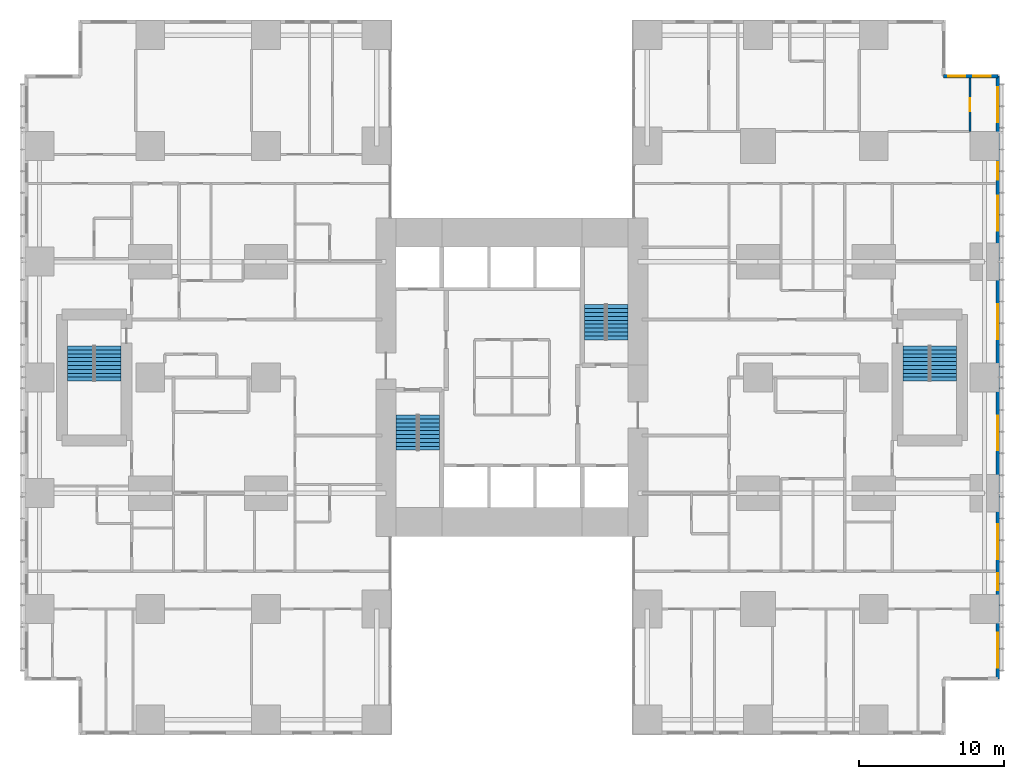
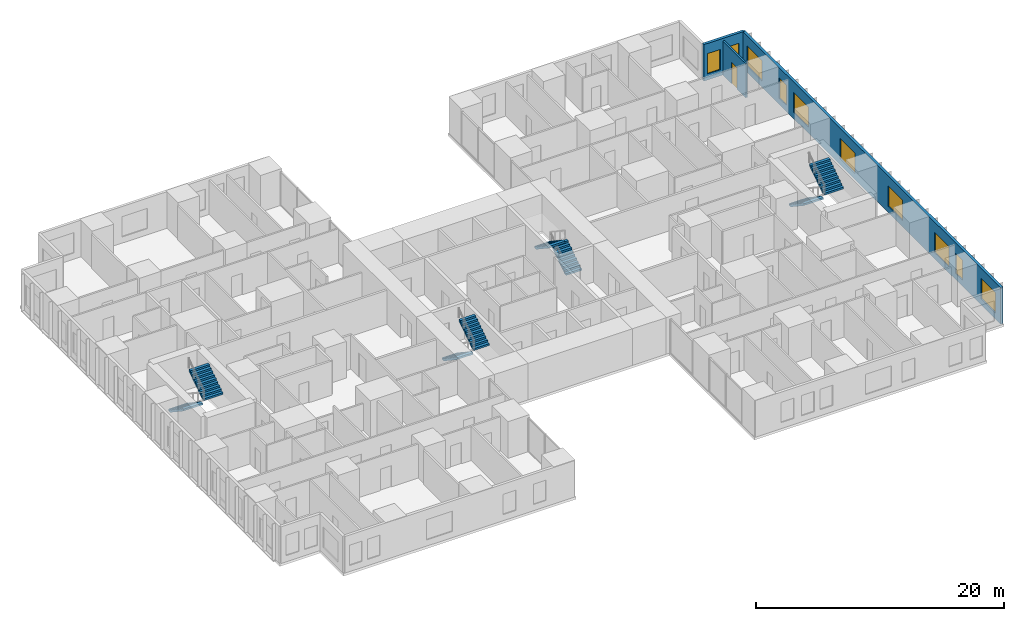
# One storey, part 19 of 20: 10 windows, 8 stair flights, 3 walls, 1 door, 11 openings, 4 elements without a shape of their own.
"""IFC4 building model written with IfcOpenShell, lengths in metres."""

from ifc_helpers import new_model, si_unit, direction, frame, frame_2d, origin, place, context, subcontext, project, spatial, polyline, rectangle, outline, extrude, material, layer, layer_set, type_object, element, fill, aggregate, save


model = new_model("IFC4")

# Units and contexts
model_context = context("Model", 3, precision=1e-05, world=origin(), true_north=direction((0.0, 1.0)))
body_context = subcontext(model_context, "Body", "Model", "MODEL_VIEW")
ifc_project = project(units=[si_unit("LENGTHUNIT", "METRE"), si_unit("AREAUNIT", "SQUARE_METRE"), si_unit("VOLUMEUNIT", "CUBIC_METRE"), si_unit("PLANEANGLEUNIT", "RADIAN"), si_unit("MASSUNIT", "GRAM", prefix="KILO")], contexts=[model_context])

# Site, building, storey
site_placement = place(None, origin())
site = spatial("IfcSite", under=ifc_project, at=site_placement, CompositionType="ELEMENT")
building_placement = place(site_placement, origin())
building = spatial("IfcBuilding", under=site, at=building_placement, Name="Cleftline Residences", CompositionType="ELEMENT")
storey_placement = place(building_placement, frame((0.0, 0.0, 80.0)))
storey = spatial("IfcBuildingStorey", under=building, at=storey_placement, Name="L20", CompositionType="ELEMENT", Elevation=80.0)

# Wall, openings, windows
ifc_material_1 = material(Name="Rendered reinforced concrete blockwork", Category="masonry")
ifc_layer_1 = layer(ifc_material_1, 0.25)
ifc_layer_set_1 = layer_set([ifc_layer_1], Name="EXTERNAL WALL 250")
wall_type_1 = type_object("IfcWallType", Name="EXTERNAL WALL 250", PredefinedType="SOLIDWALL", material=ifc_layer_set_1)
wall_1_placement = place(storey_placement, frame((66.574951171875, 3.175048828125, 0.0), z_axis=(0.0, 0.0, 1.0), x_axis=(0.0, 1.0, 0.0)))
wall_1 = element("IfcWall", 1, at=wall_1_placement, inside=storey, type_object=wall_type_1, Name="External wall", PredefinedType="SOLIDWALL", context=body_context, shape_type="SweptSolid", body=[
    extrude(rectangle(XDim=41.64990234375, YDim=0.25, at=frame_2d((20.824951171875, 0.0))), origin(), (0.0, 0.0, 1.0), 3.60009765625),
])
opening_1_placement = place(wall_1_placement, frame((0.77490234375, 0.0, 0.60009765625)))
opening_1 = element("IfcOpeningElement", 2, at=opening_1_placement, cuts=wall_1, Name="Opening W6", PredefinedType="OPENING", context=body_context, shape_type="SweptSolid", body=[
    extrude(rectangle(XDim=2.39990234375, YDim=2.0, at=frame_2d((1.199951171875, 1.0))), frame((0.0, 0.135009765625, 0.0), z_axis=(0.0, -1.0, 0.0), x_axis=(1.0, 0.0, 0.0)), (0.0, 0.0, 1.0), 0.27001953125),
])
opening_2_placement = place(wall_1_placement, frame((6.10009765625, 0.0, 0.60009765625)))
opening_2 = element("IfcOpeningElement", 3, at=opening_2_placement, cuts=wall_1, Name="Opening W8", PredefinedType="OPENING", context=body_context, shape_type="SweptSolid", body=[
    extrude(rectangle(XDim=1.199951171875, YDim=2.0, at=frame_2d((0.60009765625, 1.0))), frame((0.0, 0.135009765625, 0.0), z_axis=(0.0, -1.0, 0.0), x_axis=(1.0, 0.0, 0.0)), (0.0, 0.0, 1.0), 0.27001953125),
])
opening_3_placement = place(wall_1_placement, frame((8.27490234375, 0.0, 0.60009765625)))
opening_3 = element("IfcOpeningElement", 4, at=opening_3_placement, cuts=wall_1, Name="Opening W6", PredefinedType="OPENING", context=body_context, shape_type="SweptSolid", body=[
    extrude(rectangle(XDim=2.39990234375, YDim=2.0, at=frame_2d((1.199951171875, 1.0))), frame((0.0, 0.135009765625, 0.0), z_axis=(0.0, -1.0, 0.0), x_axis=(1.0, 0.0, 0.0)), (0.0, 0.0, 1.0), 0.27001953125),
])
opening_4_placement = place(wall_1_placement, frame((15.77490234375, 0.0, 0.60009765625)))
opening_4 = element("IfcOpeningElement", 5, at=opening_4_placement, cuts=wall_1, Name="Opening W6", PredefinedType="OPENING", context=body_context, shape_type="SweptSolid", body=[
    extrude(rectangle(XDim=2.39990234375, YDim=2.0, at=frame_2d((1.199951171875, 1.0))), frame((0.0, 0.135009765625, 0.0), z_axis=(0.0, -1.0, 0.0), x_axis=(1.0, 0.0, 0.0)), (0.0, 0.0, 1.0), 0.27001953125),
])
opening_5_placement = place(wall_1_placement, frame((23.47509765625, 0.0, 0.60009765625)))
opening_5 = element("IfcOpeningElement", 6, at=opening_5_placement, cuts=wall_1, Name="Opening W6", PredefinedType="OPENING", context=body_context, shape_type="SweptSolid", body=[
    extrude(rectangle(XDim=2.39990234375, YDim=2.0, at=frame_2d((1.199951171875, 1.0))), frame((0.0, 0.135009765625, 0.0), z_axis=(0.0, -1.0, 0.0), x_axis=(1.0, 0.0, 0.0)), (0.0, 0.0, 1.0), 0.27001953125),
])
opening_6_placement = place(wall_1_placement, frame((30.97509765625, 0.0, 0.60009765625)))
opening_6 = element("IfcOpeningElement", 7, at=opening_6_placement, cuts=wall_1, Name="Opening W6", PredefinedType="OPENING", context=body_context, shape_type="SweptSolid", body=[
    extrude(rectangle(XDim=2.39990234375, YDim=2.0, at=frame_2d((1.199951171875, 1.0))), frame((0.0, 0.135009765625, 0.0), z_axis=(0.0, -1.0, 0.0), x_axis=(1.0, 0.0, 0.0)), (0.0, 0.0, 1.0), 0.27001953125),
])
opening_7_placement = place(wall_1_placement, frame((34.5, 0.0, 0.60009765625)))
opening_7 = element("IfcOpeningElement", 8, at=opening_7_placement, cuts=wall_1, Name="Opening W8", PredefinedType="OPENING", context=body_context, shape_type="SweptSolid", body=[
    extrude(rectangle(XDim=1.199951171875, YDim=2.0, at=frame_2d((0.60009765625, 1.0))), frame((0.0, 0.135009765625, 0.0), z_axis=(0.0, -1.0, 0.0), x_axis=(1.0, 0.0, 0.0)), (0.0, 0.0, 1.0), 0.27001953125),
])
opening_8_placement = place(wall_1_placement, frame((38.47509765625, 0.0, 0.60009765625)))
opening_8 = element("IfcOpeningElement", 9, at=opening_8_placement, cuts=wall_1, Name="Opening W6", PredefinedType="OPENING", context=body_context, shape_type="SweptSolid", body=[
    extrude(rectangle(XDim=2.39990234375, YDim=2.0, at=frame_2d((1.199951171875, 1.0))), frame((0.0, 0.135009765625, 0.0), z_axis=(0.0, -1.0, 0.0), x_axis=(1.0, 0.0, 0.0)), (0.0, 0.0, 1.0), 0.27001953125),
])
ifc_material_2 = material(Name="Aluminium frame, clear double glazing", Category="aluminium")
window_type_1 = type_object("IfcWindowType", Name="WINDOW 1200X2000", PartitioningType="DOUBLE_PANEL_VERTICAL", PredefinedType="WINDOW", material=ifc_material_2)
window_1_placement = place(opening_2_placement, origin())
window_1 = element("IfcWindow", 10, at=window_1_placement, inside=storey, type_object=window_type_1, Name="Window", OverallHeight=2.0, OverallWidth=1.199951171875, PartitioningType="SINGLE_PANEL", PredefinedType="WINDOW", context=body_context, shape_type="SweptSolid", body=[
    extrude(rectangle(XDim=1.199951171875, YDim=2.0, at=frame_2d((0.60009765625, 1.0))), frame((0.0, 0.030029296875, 0.0), z_axis=(0.0, -1.0, 0.0), x_axis=(1.0, 0.0, 0.0)), (0.0, 0.0, 1.0), 0.06005859375),
])
fill(opening_2, window_1)
window_2_placement = place(opening_7_placement, origin())
window_2 = element("IfcWindow", 11, at=window_2_placement, inside=storey, type_object=window_type_1, Name="Window", OverallHeight=2.0, OverallWidth=1.199951171875, PartitioningType="SINGLE_PANEL", PredefinedType="WINDOW", context=body_context, shape_type="SweptSolid", body=[
    extrude(rectangle(XDim=1.199951171875, YDim=2.0, at=frame_2d((0.60009765625, 1.0))), frame((0.0, 0.030029296875, 0.0), z_axis=(0.0, -1.0, 0.0), x_axis=(1.0, 0.0, 0.0)), (0.0, 0.0, 1.0), 0.06005859375),
])
fill(opening_7, window_2)
ifc_material_3 = material(Name="Aluminium frame, clear double glazing", Category="aluminium")
window_type_2 = type_object("IfcWindowType", Name="WINDOW 2400X2000", PartitioningType="DOUBLE_PANEL_VERTICAL", PredefinedType="WINDOW", material=ifc_material_3)
window_3_placement = place(opening_1_placement, origin())
window_3 = element("IfcWindow", 12, at=window_3_placement, inside=storey, type_object=window_type_2, Name="Window", OverallHeight=2.0, OverallWidth=2.39990234375, PartitioningType="SINGLE_PANEL", PredefinedType="WINDOW", context=body_context, shape_type="SweptSolid", body=[
    extrude(rectangle(XDim=2.39990234375, YDim=2.0, at=frame_2d((1.199951171875, 1.0))), frame((0.0, 0.030029296875, 0.0), z_axis=(0.0, -1.0, 0.0), x_axis=(1.0, 0.0, 0.0)), (0.0, 0.0, 1.0), 0.06005859375),
])
fill(opening_1, window_3)
window_4_placement = place(opening_3_placement, origin())
window_4 = element("IfcWindow", 13, at=window_4_placement, inside=storey, type_object=window_type_2, Name="Window", OverallHeight=2.0, OverallWidth=2.39990234375, PartitioningType="SINGLE_PANEL", PredefinedType="WINDOW", context=body_context, shape_type="SweptSolid", body=[
    extrude(rectangle(XDim=2.39990234375, YDim=2.0, at=frame_2d((1.199951171875, 1.0))), frame((0.0, 0.030029296875, 0.0), z_axis=(0.0, -1.0, 0.0), x_axis=(1.0, 0.0, 0.0)), (0.0, 0.0, 1.0), 0.06005859375),
])
fill(opening_3, window_4)
window_5_placement = place(opening_4_placement, origin())
window_5 = element("IfcWindow", 14, at=window_5_placement, inside=storey, type_object=window_type_2, Name="Window", OverallHeight=2.0, OverallWidth=2.39990234375, PartitioningType="SINGLE_PANEL", PredefinedType="WINDOW", context=body_context, shape_type="SweptSolid", body=[
    extrude(rectangle(XDim=2.39990234375, YDim=2.0, at=frame_2d((1.199951171875, 1.0))), frame((0.0, 0.030029296875, 0.0), z_axis=(0.0, -1.0, 0.0), x_axis=(1.0, 0.0, 0.0)), (0.0, 0.0, 1.0), 0.06005859375),
])
fill(opening_4, window_5)
window_6_placement = place(opening_5_placement, origin())
window_6 = element("IfcWindow", 15, at=window_6_placement, inside=storey, type_object=window_type_2, Name="Window", OverallHeight=2.0, OverallWidth=2.39990234375, PartitioningType="SINGLE_PANEL", PredefinedType="WINDOW", context=body_context, shape_type="SweptSolid", body=[
    extrude(rectangle(XDim=2.39990234375, YDim=2.0, at=frame_2d((1.199951171875, 1.0))), frame((0.0, 0.030029296875, 0.0), z_axis=(0.0, -1.0, 0.0), x_axis=(1.0, 0.0, 0.0)), (0.0, 0.0, 1.0), 0.06005859375),
])
fill(opening_5, window_6)
window_7_placement = place(opening_6_placement, origin())
window_7 = element("IfcWindow", 16, at=window_7_placement, inside=storey, type_object=window_type_2, Name="Window", OverallHeight=2.0, OverallWidth=2.39990234375, PartitioningType="SINGLE_PANEL", PredefinedType="WINDOW", context=body_context, shape_type="SweptSolid", body=[
    extrude(rectangle(XDim=2.39990234375, YDim=2.0, at=frame_2d((1.199951171875, 1.0))), frame((0.0, 0.030029296875, 0.0), z_axis=(0.0, -1.0, 0.0), x_axis=(1.0, 0.0, 0.0)), (0.0, 0.0, 1.0), 0.06005859375),
])
fill(opening_6, window_7)
window_8_placement = place(opening_8_placement, origin())
window_8 = element("IfcWindow", 17, at=window_8_placement, inside=storey, type_object=window_type_2, Name="Window", OverallHeight=2.0, OverallWidth=2.39990234375, PartitioningType="SINGLE_PANEL", PredefinedType="WINDOW", context=body_context, shape_type="SweptSolid", body=[
    extrude(rectangle(XDim=2.39990234375, YDim=2.0, at=frame_2d((1.199951171875, 1.0))), frame((0.0, 0.030029296875, 0.0), z_axis=(0.0, -1.0, 0.0), x_axis=(1.0, 0.0, 0.0)), (0.0, 0.0, 1.0), 0.06005859375),
])
fill(opening_8, window_8)

wall_2_placement = place(storey_placement, frame((66.574951171875, 44.824951171875, 0.0), z_axis=(0.0, 0.0, 1.0), x_axis=(-1.0, 0.0, 0.0)))
wall_2 = element("IfcWall", 18, at=wall_2_placement, inside=storey, type_object=wall_type_1, Name="External wall", PredefinedType="SOLIDWALL", context=body_context, shape_type="SweptSolid", body=[
    extrude(rectangle(XDim=3.75, YDim=0.25, at=frame_2d((1.875, 0.0))), origin(), (0.0, 0.0, 1.0), 3.60009765625),
])
opening_9_placement = place(wall_2_placement, frame((0.5, 0.0, 0.60009765625)))
opening_9 = element("IfcOpeningElement", 19, at=opening_9_placement, cuts=wall_2, Name="Opening W8", PredefinedType="OPENING", context=body_context, shape_type="SweptSolid", body=[
    extrude(rectangle(XDim=1.199951171875, YDim=2.0, at=frame_2d((0.60009765625, 1.0))), frame((0.0, 0.135009765625, 0.0), z_axis=(0.0, -1.0, 0.0), x_axis=(1.0, 0.0, 0.0)), (0.0, 0.0, 1.0), 0.27001953125),
])
opening_10_placement = place(wall_2_placement, frame((2.237548828125, 0.0, 0.60009765625)))
opening_10 = element("IfcOpeningElement", 20, at=opening_10_placement, cuts=wall_2, Name="Opening W8", PredefinedType="OPENING", context=body_context, shape_type="SweptSolid", body=[
    extrude(rectangle(XDim=1.199951171875, YDim=2.0, at=frame_2d((0.60009765625, 1.0))), frame((0.0, 0.135009765625, 0.0), z_axis=(0.0, -1.0, 0.0), x_axis=(1.0, 0.0, 0.0)), (0.0, 0.0, 1.0), 0.27001953125),
])
window_9_placement = place(opening_9_placement, origin())
window_9 = element("IfcWindow", 21, at=window_9_placement, inside=storey, type_object=window_type_1, Name="Window", OverallHeight=2.0, OverallWidth=1.199951171875, PartitioningType="SINGLE_PANEL", PredefinedType="WINDOW", context=body_context, shape_type="SweptSolid", body=[
    extrude(rectangle(XDim=1.199951171875, YDim=2.0, at=frame_2d((0.60009765625, 1.0))), frame((0.0, 0.030029296875, 0.0), z_axis=(0.0, -1.0, 0.0), x_axis=(1.0, 0.0, 0.0)), (0.0, 0.0, 1.0), 0.06005859375),
])
fill(opening_9, window_9)
window_10_placement = place(opening_10_placement, origin())
window_10 = element("IfcWindow", 22, at=window_10_placement, inside=storey, type_object=window_type_1, Name="Window", OverallHeight=2.0, OverallWidth=1.199951171875, PartitioningType="SINGLE_PANEL", PredefinedType="WINDOW", context=body_context, shape_type="SweptSolid", body=[
    extrude(rectangle(XDim=1.199951171875, YDim=2.0, at=frame_2d((0.60009765625, 1.0))), frame((0.0, 0.030029296875, 0.0), z_axis=(0.0, -1.0, 0.0), x_axis=(1.0, 0.0, 0.0)), (0.0, 0.0, 1.0), 0.06005859375),
])
fill(opening_10, window_10)

# Wall, opening, door
ifc_material_4 = material(Name="Gypsum board on steel studs", Category="steel")
ifc_layer_2 = layer(ifc_material_4, 0.14990234375)
ifc_layer_set_2 = layer_set([ifc_layer_2], Name="PARTITION 150")
wall_type_2 = type_object("IfcWallType", Name="PARTITION 150", PredefinedType="PARTITIONING", material=ifc_layer_set_2)
wall_3_placement = place(storey_placement, frame((64.64990234375, 41.0, 0.0), z_axis=(0.0, 0.0, 1.0), x_axis=(0.0, 1.0, 0.0)))
wall_3 = element("IfcWall", 23, at=wall_3_placement, inside=storey, type_object=wall_type_2, Name="Partition", PredefinedType="PARTITIONING", context=body_context, shape_type="SweptSolid", body=[
    extrude(rectangle(XDim=3.699951171875, YDim=0.14990234375, at=frame_2d((1.85009765625, 0.0))), origin(), (0.0, 0.0, 1.0), 3.35009765625),
])
opening_11_placement = place(wall_3_placement, frame((1.39990234375, 0.0, 0.0)))
opening_11 = element("IfcOpeningElement", 24, at=opening_11_placement, cuts=wall_3, Name="Opening D1", PredefinedType="OPENING", context=body_context, shape_type="SweptSolid", body=[
    extrude(rectangle(XDim=0.89990234375, YDim=2.10009765625, at=frame_2d((0.449951171875, 1.050048828125))), frame((0.0, 0.0849609375, 0.0), z_axis=(0.0, -1.0, 0.0), x_axis=(1.0, 0.0, 0.0)), (0.0, 0.0, 1.0), 0.169921875),
])
ifc_material_5 = material(Name="Timber veneer on solid core", Category="wood")
door_type = type_object("IfcDoorType", Name="DOOR 900X2100", OperationType="SINGLE_SWING_LEFT", PredefinedType="DOOR", material=ifc_material_5)
door_placement = place(opening_11_placement, origin())
door = element("IfcDoor", 25, at=door_placement, inside=storey, type_object=door_type, Name="Door to walk-in wardrobe", OperationType="SINGLE_SWING_LEFT", OverallHeight=2.10009765625, OverallWidth=0.89990234375, PredefinedType="DOOR", context=body_context, shape_type="SweptSolid", body=[
    extrude(rectangle(XDim=0.89990234375, YDim=2.10009765625, at=frame_2d((0.449951171875, 1.050048828125))), frame((0.0, 0.02490234375, 0.0), z_axis=(0.0, -1.0, 0.0), x_axis=(1.0, 0.0, 0.0)), (0.0, 0.0, 1.0), 0.050048828125),
])
fill(opening_11, door)

# Stair, stair flights
ifc_material_6 = material(Name="Concrete B45, stone treads", Category="masonry")
stair_type_1 = type_object("IfcStairType", Name="STAIR A 1450 WIDE 180 RISER", PredefinedType="HALF_TURN_STAIR", material=ifc_material_6)
stair_1_placement = place(storey_placement, origin())
stair_1 = element("IfcStair", 26, at=stair_1_placement, inside=storey, type_object=stair_type_1, Name="Stair A L20", PredefinedType="HALF_TURN_STAIR")
ifc_material_7 = material(Name="Concrete B45", Category="concrete")
stair_flight_type_1 = type_object("IfcStairFlightType", Name="STAIR A FLIGHT 1450X180", PredefinedType="STRAIGHT", material=ifc_material_7)
stair_flight_1_placement = place(storey_placement, frame((25.72509765625, 21.39990234375, 0.0), z_axis=(0.0, 0.0, 1.0), x_axis=(0.0, -1.0, 0.0)))
stair_flight_1 = element("IfcStairFlight", 27, at=stair_flight_1_placement, type_object=stair_flight_type_1, Name="ST-A flight 1", NumberOfRisers=10, NumberOfTreads=9, PredefinedType="STRAIGHT", RiserHeight=0.18, TreadLength=0.27, context=body_context, shape_type="SweptSolid", body=[
    extrude(outline(polyline([(0.0, 0.0), (0.0, 0.013916015625), (0.0, 0.027587890625), (0.0, 0.04150390625), (0.0, 0.055419921875), (0.0, 0.0693359375), (0.0, 0.0830078125), (0.0, 0.096923828125), (0.0, 0.11083984375), (0.0, 0.12451171875), (0.0, 0.138427734375), (0.0, 0.15234375), (0.0, 0.166259765625), (0.0, 0.179931640625), (0.27001953125, 0.179931640625), (0.27001953125, 0.360107421875), (0.5400390625, 0.360107421875), (0.5400390625, 0.5400390625), (0.81005859375, 0.5400390625), (0.81005859375, 0.719970703125), (1.080078125, 0.719970703125), (1.080078125, 0.89990234375), (1.35009765625, 0.89990234375), (1.35009765625, 1.080078125), (1.6201171875, 1.080078125), (1.6201171875, 1.260009765625), (1.889892578125, 1.260009765625), (1.889892578125, 1.43994140625), (2.159912109375, 1.43994140625), (2.159912109375, 1.6201171875), (2.429931640625, 1.6201171875), (2.429931640625, 1.800048828125), (2.429931640625, 1.772216796875), (2.429931640625, 1.74462890625), (2.429931640625, 1.716796875), (2.429931640625, 1.689208984375), (2.429931640625, 1.661376953125), (2.429931640625, 1.6337890625), (2.429931640625, 1.60595703125), (2.429931640625, 1.578369140625), (2.429931640625, 1.550537109375), (2.429931640625, 1.52294921875), (2.429931640625, 1.495361328125), (2.429931640625, 1.467529296875), (2.429931640625, 1.43994140625), (0.270263671875, 0.0), (0.0, 0.0)])), frame((0.0, 0.72509765625, 0.0), z_axis=(0.0, -1.0, 0.0), x_axis=(1.0, 0.0, 0.0)), (0.0, 0.0, 1.0), 1.449951171875),
])
stair_flight_2_placement = place(storey_placement, frame((27.27490234375, 18.969970703125, 1.800048828125), z_axis=(0.0, 0.0, 1.0), x_axis=(0.0, 1.0, 0.0)))
stair_flight_2 = element("IfcStairFlight", 28, at=stair_flight_2_placement, type_object=stair_flight_type_1, Name="ST-A flight 2", NumberOfRisers=10, NumberOfTreads=9, PredefinedType="STRAIGHT", RiserHeight=0.18, TreadLength=0.27, context=body_context, shape_type="SweptSolid", body=[
    extrude(outline(polyline([(0.0, 0.0), (0.0, 0.013916015625), (0.0, 0.027587890625), (0.0, 0.04150390625), (0.0, 0.055419921875), (0.0, 0.0693359375), (0.0, 0.0830078125), (0.0, 0.096923828125), (0.0, 0.11083984375), (0.0, 0.12451171875), (0.0, 0.138427734375), (0.0, 0.15234375), (0.0, 0.166259765625), (0.0, 0.179931640625), (0.27001953125, 0.179931640625), (0.27001953125, 0.360107421875), (0.5400390625, 0.360107421875), (0.5400390625, 0.5400390625), (0.81005859375, 0.5400390625), (0.81005859375, 0.719970703125), (1.080078125, 0.719970703125), (1.080078125, 0.89990234375), (1.35009765625, 0.89990234375), (1.35009765625, 1.080078125), (1.6201171875, 1.080078125), (1.6201171875, 1.260009765625), (1.889892578125, 1.260009765625), (1.889892578125, 1.43994140625), (2.159912109375, 1.43994140625), (2.159912109375, 1.6201171875), (2.429931640625, 1.6201171875), (2.429931640625, 1.800048828125), (2.429931640625, 1.772216796875), (2.429931640625, 1.74462890625), (2.429931640625, 1.716796875), (2.429931640625, 1.689208984375), (2.429931640625, 1.661376953125), (2.429931640625, 1.6337890625), (2.429931640625, 1.60595703125), (2.429931640625, 1.578369140625), (2.429931640625, 1.550537109375), (2.429931640625, 1.52294921875), (2.429931640625, 1.495361328125), (2.429931640625, 1.467529296875), (2.429931640625, 1.43994140625), (0.270263671875, 0.0), (0.0, 0.0)])), frame((0.0, 0.72509765625, 0.0), z_axis=(0.0, -1.0, 0.0), x_axis=(1.0, 0.0, 0.0)), (0.0, 0.0, 1.0), 1.449951171875),
])
aggregate(stair_1, [stair_flight_1, stair_flight_2])

ifc_material_8 = material(Name="Concrete B45, stone treads", Category="masonry")
stair_type_2 = type_object("IfcStairType", Name="STAIR B 1450 WIDE 180 RISER", PredefinedType="HALF_TURN_STAIR", material=ifc_material_8)
stair_2_placement = place(storey_placement, origin())
stair_2 = element("IfcStair", 29, at=stair_2_placement, inside=storey, type_object=stair_type_2, Name="Stair B L20", PredefinedType="HALF_TURN_STAIR")
ifc_material_9 = material(Name="Concrete B45", Category="concrete")
stair_flight_type_2 = type_object("IfcStairFlightType", Name="STAIR B FLIGHT 1450X180", PredefinedType="STRAIGHT", material=ifc_material_9)
stair_flight_3_placement = place(storey_placement, frame((40.27490234375, 26.60009765625, 0.0), z_axis=(0.0, 0.0, 1.0), x_axis=(0.0, 1.0, 0.0)))
stair_flight_3 = element("IfcStairFlight", 30, at=stair_flight_3_placement, type_object=stair_flight_type_2, Name="ST-B flight 1", NumberOfRisers=10, NumberOfTreads=9, PredefinedType="STRAIGHT", RiserHeight=0.18, TreadLength=0.27, context=body_context, shape_type="SweptSolid", body=[
    extrude(outline(polyline([(0.0, 0.0), (0.0, 0.013916015625), (0.0, 0.027587890625), (0.0, 0.04150390625), (0.0, 0.055419921875), (0.0, 0.0693359375), (0.0, 0.0830078125), (0.0, 0.096923828125), (0.0, 0.11083984375), (0.0, 0.12451171875), (0.0, 0.138427734375), (0.0, 0.15234375), (0.0, 0.166259765625), (0.0, 0.179931640625), (0.27001953125, 0.179931640625), (0.27001953125, 0.360107421875), (0.5400390625, 0.360107421875), (0.5400390625, 0.5400390625), (0.81005859375, 0.5400390625), (0.81005859375, 0.719970703125), (1.080078125, 0.719970703125), (1.080078125, 0.89990234375), (1.35009765625, 0.89990234375), (1.35009765625, 1.080078125), (1.6201171875, 1.080078125), (1.6201171875, 1.260009765625), (1.889892578125, 1.260009765625), (1.889892578125, 1.43994140625), (2.159912109375, 1.43994140625), (2.159912109375, 1.6201171875), (2.429931640625, 1.6201171875), (2.429931640625, 1.800048828125), (2.429931640625, 1.772216796875), (2.429931640625, 1.74462890625), (2.429931640625, 1.716796875), (2.429931640625, 1.689208984375), (2.429931640625, 1.661376953125), (2.429931640625, 1.6337890625), (2.429931640625, 1.60595703125), (2.429931640625, 1.578369140625), (2.429931640625, 1.550537109375), (2.429931640625, 1.52294921875), (2.429931640625, 1.495361328125), (2.429931640625, 1.467529296875), (2.429931640625, 1.43994140625), (0.270263671875, 0.0), (0.0, 0.0)])), frame((0.0, 0.72509765625, 0.0), z_axis=(0.0, -1.0, 0.0), x_axis=(1.0, 0.0, 0.0)), (0.0, 0.0, 1.0), 1.449951171875),
])
stair_flight_4_placement = place(storey_placement, frame((38.72509765625, 29.030029296875, 1.800048828125), z_axis=(0.0, 0.0, 1.0), x_axis=(0.0, -1.0, 0.0)))
stair_flight_4 = element("IfcStairFlight", 31, at=stair_flight_4_placement, type_object=stair_flight_type_2, Name="ST-B flight 2", NumberOfRisers=10, NumberOfTreads=9, PredefinedType="STRAIGHT", RiserHeight=0.18, TreadLength=0.27, context=body_context, shape_type="SweptSolid", body=[
    extrude(outline(polyline([(0.0, 0.0), (0.0, 0.013916015625), (0.0, 0.027587890625), (0.0, 0.04150390625), (0.0, 0.055419921875), (0.0, 0.0693359375), (0.0, 0.0830078125), (0.0, 0.096923828125), (0.0, 0.11083984375), (0.0, 0.12451171875), (0.0, 0.138427734375), (0.0, 0.15234375), (0.0, 0.166259765625), (0.0, 0.179931640625), (0.27001953125, 0.179931640625), (0.27001953125, 0.360107421875), (0.5400390625, 0.360107421875), (0.5400390625, 0.5400390625), (0.81005859375, 0.5400390625), (0.81005859375, 0.719970703125), (1.080078125, 0.719970703125), (1.080078125, 0.89990234375), (1.35009765625, 0.89990234375), (1.35009765625, 1.080078125), (1.6201171875, 1.080078125), (1.6201171875, 1.260009765625), (1.889892578125, 1.260009765625), (1.889892578125, 1.43994140625), (2.159912109375, 1.43994140625), (2.159912109375, 1.6201171875), (2.429931640625, 1.6201171875), (2.429931640625, 1.800048828125), (2.429931640625, 1.772216796875), (2.429931640625, 1.74462890625), (2.429931640625, 1.716796875), (2.429931640625, 1.689208984375), (2.429931640625, 1.661376953125), (2.429931640625, 1.6337890625), (2.429931640625, 1.60595703125), (2.429931640625, 1.578369140625), (2.429931640625, 1.550537109375), (2.429931640625, 1.52294921875), (2.429931640625, 1.495361328125), (2.429931640625, 1.467529296875), (2.429931640625, 1.43994140625), (0.270263671875, 0.0), (0.0, 0.0)])), frame((0.0, 0.72509765625, 0.0), z_axis=(0.0, -1.0, 0.0), x_axis=(1.0, 0.0, 0.0)), (0.0, 0.0, 1.0), 1.449951171875),
])
aggregate(stair_2, [stair_flight_3, stair_flight_4])

ifc_material_10 = material(Name="Concrete B45, stone treads", Category="masonry")
stair_type_3 = type_object("IfcStairType", Name="STAIR E 1800 WIDE 180 RISER", PredefinedType="HALF_TURN_STAIR", material=ifc_material_10)
stair_3_placement = place(storey_placement, origin())
stair_3 = element("IfcStair", 32, at=stair_3_placement, inside=storey, type_object=stair_type_3, Name="Stair E L20", PredefinedType="HALF_TURN_STAIR")
ifc_material_11 = material(Name="Concrete B45", Category="concrete")
stair_flight_type_3 = type_object("IfcStairFlightType", Name="STAIR E FLIGHT 1800X180", PredefinedType="STRAIGHT", material=ifc_material_11)
stair_flight_5_placement = place(storey_placement, frame((60.925048828125, 26.175048828125, 0.0), z_axis=(0.0, 0.0, 1.0), x_axis=(0.0, -1.0, 0.0)))
stair_flight_5 = element("IfcStairFlight", 33, at=stair_flight_5_placement, type_object=stair_flight_type_3, Name="ST-E flight 1", NumberOfRisers=10, NumberOfTreads=9, PredefinedType="STRAIGHT", RiserHeight=0.18, TreadLength=0.27, context=body_context, shape_type="SweptSolid", body=[
    extrude(outline(polyline([(0.0, 0.0), (0.0, 0.013916015625), (0.0, 0.027587890625), (0.0, 0.04150390625), (0.0, 0.055419921875), (0.0, 0.0693359375), (0.0, 0.0830078125), (0.0, 0.096923828125), (0.0, 0.11083984375), (0.0, 0.12451171875), (0.0, 0.138427734375), (0.0, 0.15234375), (0.0, 0.166259765625), (0.0, 0.179931640625), (0.27001953125, 0.179931640625), (0.27001953125, 0.360107421875), (0.5400390625, 0.360107421875), (0.5400390625, 0.5400390625), (0.81005859375, 0.5400390625), (0.81005859375, 0.719970703125), (1.080078125, 0.719970703125), (1.080078125, 0.89990234375), (1.35009765625, 0.89990234375), (1.35009765625, 1.080078125), (1.6201171875, 1.080078125), (1.6201171875, 1.260009765625), (1.889892578125, 1.260009765625), (1.889892578125, 1.43994140625), (2.159912109375, 1.43994140625), (2.159912109375, 1.6201171875), (2.429931640625, 1.6201171875), (2.429931640625, 1.800048828125), (2.429931640625, 1.772216796875), (2.429931640625, 1.74462890625), (2.429931640625, 1.716796875), (2.429931640625, 1.689208984375), (2.429931640625, 1.661376953125), (2.429931640625, 1.6337890625), (2.429931640625, 1.60595703125), (2.429931640625, 1.578369140625), (2.429931640625, 1.550537109375), (2.429931640625, 1.52294921875), (2.429931640625, 1.495361328125), (2.429931640625, 1.467529296875), (2.429931640625, 1.43994140625), (0.270263671875, 0.0), (0.0, 0.0)])), frame((0.0, 0.89990234375, 0.0), z_axis=(0.0, -1.0, 0.0), x_axis=(1.0, 0.0, 0.0)), (0.0, 0.0, 1.0), 1.800048828125),
])
stair_flight_6_placement = place(storey_placement, frame((62.824951171875, 23.7451171875, 1.800048828125), z_axis=(0.0, 0.0, 1.0), x_axis=(0.0, 1.0, 0.0)))
stair_flight_6 = element("IfcStairFlight", 34, at=stair_flight_6_placement, type_object=stair_flight_type_3, Name="ST-E flight 2", NumberOfRisers=10, NumberOfTreads=9, PredefinedType="STRAIGHT", RiserHeight=0.18, TreadLength=0.27, context=body_context, shape_type="SweptSolid", body=[
    extrude(outline(polyline([(0.0, 0.0), (0.0, 0.013916015625), (0.0, 0.027587890625), (0.0, 0.04150390625), (0.0, 0.055419921875), (0.0, 0.0693359375), (0.0, 0.0830078125), (0.0, 0.096923828125), (0.0, 0.11083984375), (0.0, 0.12451171875), (0.0, 0.138427734375), (0.0, 0.15234375), (0.0, 0.166259765625), (0.0, 0.179931640625), (0.27001953125, 0.179931640625), (0.27001953125, 0.360107421875), (0.5400390625, 0.360107421875), (0.5400390625, 0.5400390625), (0.81005859375, 0.5400390625), (0.81005859375, 0.719970703125), (1.080078125, 0.719970703125), (1.080078125, 0.89990234375), (1.35009765625, 0.89990234375), (1.35009765625, 1.080078125), (1.6201171875, 1.080078125), (1.6201171875, 1.260009765625), (1.889892578125, 1.260009765625), (1.889892578125, 1.43994140625), (2.159912109375, 1.43994140625), (2.159912109375, 1.6201171875), (2.429931640625, 1.6201171875), (2.429931640625, 1.800048828125), (2.429931640625, 1.772216796875), (2.429931640625, 1.74462890625), (2.429931640625, 1.716796875), (2.429931640625, 1.689208984375), (2.429931640625, 1.661376953125), (2.429931640625, 1.6337890625), (2.429931640625, 1.60595703125), (2.429931640625, 1.578369140625), (2.429931640625, 1.550537109375), (2.429931640625, 1.52294921875), (2.429931640625, 1.495361328125), (2.429931640625, 1.467529296875), (2.429931640625, 1.43994140625), (0.270263671875, 0.0), (0.0, 0.0)])), frame((0.0, 0.89990234375, 0.0), z_axis=(0.0, -1.0, 0.0), x_axis=(1.0, 0.0, 0.0)), (0.0, 0.0, 1.0), 1.800048828125),
])
aggregate(stair_3, [stair_flight_5, stair_flight_6])

ifc_material_12 = material(Name="Concrete B45, stone treads", Category="masonry")
stair_type_4 = type_object("IfcStairType", Name="STAIR W 1800 WIDE 180 RISER", PredefinedType="HALF_TURN_STAIR", material=ifc_material_12)
stair_4_placement = place(storey_placement, origin())
stair_4 = element("IfcStair", 35, at=stair_4_placement, inside=storey, type_object=stair_type_4, Name="Stair W L20", PredefinedType="HALF_TURN_STAIR")
ifc_material_13 = material(Name="Concrete B45", Category="concrete")
stair_flight_type_4 = type_object("IfcStairFlightType", Name="STAIR W FLIGHT 1800X180", PredefinedType="STRAIGHT", material=ifc_material_13)
stair_flight_7_placement = place(storey_placement, frame((3.175048828125, 26.175048828125, 0.0), z_axis=(0.0, 0.0, 1.0), x_axis=(0.0, -1.0, 0.0)))
stair_flight_7 = element("IfcStairFlight", 36, at=stair_flight_7_placement, type_object=stair_flight_type_4, Name="ST-W flight 1", NumberOfRisers=10, NumberOfTreads=9, PredefinedType="STRAIGHT", RiserHeight=0.18, TreadLength=0.27, context=body_context, shape_type="SweptSolid", body=[
    extrude(outline(polyline([(0.0, 0.0), (0.0, 0.013916015625), (0.0, 0.027587890625), (0.0, 0.04150390625), (0.0, 0.055419921875), (0.0, 0.0693359375), (0.0, 0.0830078125), (0.0, 0.096923828125), (0.0, 0.11083984375), (0.0, 0.12451171875), (0.0, 0.138427734375), (0.0, 0.15234375), (0.0, 0.166259765625), (0.0, 0.179931640625), (0.27001953125, 0.179931640625), (0.27001953125, 0.360107421875), (0.5400390625, 0.360107421875), (0.5400390625, 0.5400390625), (0.81005859375, 0.5400390625), (0.81005859375, 0.719970703125), (1.080078125, 0.719970703125), (1.080078125, 0.89990234375), (1.35009765625, 0.89990234375), (1.35009765625, 1.080078125), (1.6201171875, 1.080078125), (1.6201171875, 1.260009765625), (1.889892578125, 1.260009765625), (1.889892578125, 1.43994140625), (2.159912109375, 1.43994140625), (2.159912109375, 1.6201171875), (2.429931640625, 1.6201171875), (2.429931640625, 1.800048828125), (2.429931640625, 1.772216796875), (2.429931640625, 1.74462890625), (2.429931640625, 1.716796875), (2.429931640625, 1.689208984375), (2.429931640625, 1.661376953125), (2.429931640625, 1.6337890625), (2.429931640625, 1.60595703125), (2.429931640625, 1.578369140625), (2.429931640625, 1.550537109375), (2.429931640625, 1.52294921875), (2.429931640625, 1.495361328125), (2.429931640625, 1.467529296875), (2.429931640625, 1.43994140625), (0.270263671875, 0.0), (0.0, 0.0)])), frame((0.0, 0.89990234375, 0.0), z_axis=(0.0, -1.0, 0.0), x_axis=(1.0, 0.0, 0.0)), (0.0, 0.0, 1.0), 1.800048828125),
])
stair_flight_8_placement = place(storey_placement, frame((5.074951171875, 23.7451171875, 1.800048828125), z_axis=(0.0, 0.0, 1.0), x_axis=(0.0, 1.0, 0.0)))
stair_flight_8 = element("IfcStairFlight", 37, at=stair_flight_8_placement, type_object=stair_flight_type_4, Name="ST-W flight 2", NumberOfRisers=10, NumberOfTreads=9, PredefinedType="STRAIGHT", RiserHeight=0.18, TreadLength=0.27, context=body_context, shape_type="SweptSolid", body=[
    extrude(outline(polyline([(0.0, 0.0), (0.0, 0.013916015625), (0.0, 0.027587890625), (0.0, 0.04150390625), (0.0, 0.055419921875), (0.0, 0.0693359375), (0.0, 0.0830078125), (0.0, 0.096923828125), (0.0, 0.11083984375), (0.0, 0.12451171875), (0.0, 0.138427734375), (0.0, 0.15234375), (0.0, 0.166259765625), (0.0, 0.179931640625), (0.27001953125, 0.179931640625), (0.27001953125, 0.360107421875), (0.5400390625, 0.360107421875), (0.5400390625, 0.5400390625), (0.81005859375, 0.5400390625), (0.81005859375, 0.719970703125), (1.080078125, 0.719970703125), (1.080078125, 0.89990234375), (1.35009765625, 0.89990234375), (1.35009765625, 1.080078125), (1.6201171875, 1.080078125), (1.6201171875, 1.260009765625), (1.889892578125, 1.260009765625), (1.889892578125, 1.43994140625), (2.159912109375, 1.43994140625), (2.159912109375, 1.6201171875), (2.429931640625, 1.6201171875), (2.429931640625, 1.800048828125), (2.429931640625, 1.772216796875), (2.429931640625, 1.74462890625), (2.429931640625, 1.716796875), (2.429931640625, 1.689208984375), (2.429931640625, 1.661376953125), (2.429931640625, 1.6337890625), (2.429931640625, 1.60595703125), (2.429931640625, 1.578369140625), (2.429931640625, 1.550537109375), (2.429931640625, 1.52294921875), (2.429931640625, 1.495361328125), (2.429931640625, 1.467529296875), (2.429931640625, 1.43994140625), (0.270263671875, 0.0), (0.0, 0.0)])), frame((0.0, 0.89990234375, 0.0), z_axis=(0.0, -1.0, 0.0), x_axis=(1.0, 0.0, 0.0)), (0.0, 0.0, 1.0), 1.800048828125),
])
aggregate(stair_4, [stair_flight_7, stair_flight_8])

save(model, "model.ifc")
